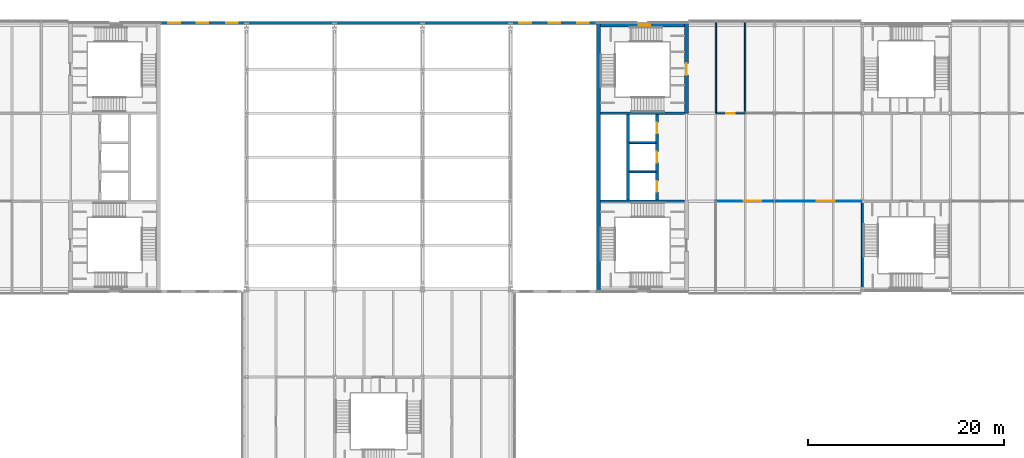
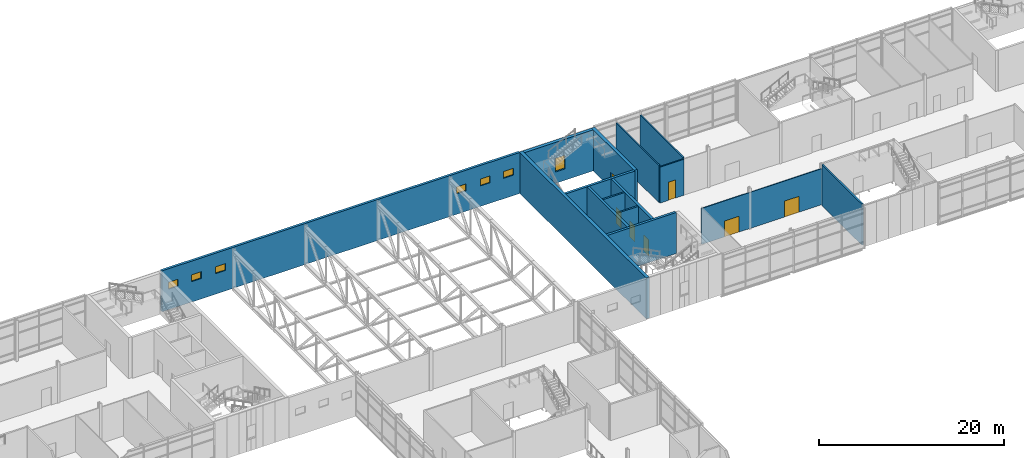
# One storey, part 40 of 53: 15 walls, 7 doors, 7 windows, 14 openings.
"""IFC4 building model written with IfcOpenShell, lengths in metres."""

from ifc_helpers import new_model, si_unit, direction, frame, frame_2d, origin, place, context, subcontext, project, spatial, rectangle, extrude, material, layer, layer_set, type_object, element, fill, save


model = new_model("IFC4")

# Units and contexts
model_context = context("Model", 3, precision=1e-05, world=origin(), true_north=direction((0.0, 1.0)))
body_context = subcontext(model_context, "Body", "Model", "MODEL_VIEW")
ifc_project = project(units=[si_unit("LENGTHUNIT", "METRE"), si_unit("AREAUNIT", "SQUARE_METRE"), si_unit("VOLUMEUNIT", "CUBIC_METRE"), si_unit("PLANEANGLEUNIT", "RADIAN"), si_unit("MASSUNIT", "GRAM", prefix="KILO")], contexts=[model_context])

# Site, building, storey
site_placement = place(None, origin())
site = spatial("IfcSite", under=ifc_project, at=site_placement, CompositionType="ELEMENT")
building_placement = place(site_placement, origin())
building = spatial("IfcBuilding", under=site, at=building_placement, Name="Azimuth Sports and Learning Centre", CompositionType="ELEMENT")
storey_placement = place(building_placement, frame((0.0, 0.0, 10.800048828125)))
storey = spatial("IfcBuildingStorey", under=building, at=storey_placement, Name="L02", CompositionType="ELEMENT", Elevation=10.800048828125)

# Walls
ifc_material_1 = material(Name="Dense masonry blockwork", Category="masonry")
ifc_layer_1 = layer(ifc_material_1, 0.199951171875)
ifc_layer_set_1 = layer_set([ifc_layer_1], Name="Dense masonry blockwork")
wall_type_1 = type_object("IfcWallType", Name="Blockwork wall 200 EI 120", PredefinedType="SOLIDWALL", material=ifc_layer_set_1)
for number, where, z_axis, x_axis, name in (
    (1, (111.14990234375, 102.0, 0.0), (0.0, 0.0, 1.0), (1.0, 0.0, 0.0), "SD-E-1-L02"),
    (2, (111.14990234375, 105.0, 0.0), (0.0, 0.0, 1.0), (1.0, 0.0, 0.0), "SD-E-2-L02"),
):
    element("IfcWall", number, at=place(storey_placement, frame(where, z_axis=z_axis, x_axis=x_axis)), inside=storey, type_object=wall_type_1, Name=name, PredefinedType="SOLIDWALL", context=body_context, shape_type="SweptSolid", body=[
        extrude(rectangle(XDim=2.7001953125, YDim=0.199951171875, at=frame_2d((1.35009765625, 0.0))), origin(), (0.0, 0.0, 1.0), 5.39990234375),
    ])

# Wall, openings, windows
ifc_material_2 = material(Name="Insulated cladding wall")
ifc_layer_2 = layer(ifc_material_2, 0.300048828125)
ifc_layer_set_2 = layer_set([ifc_layer_2], Name="Insulated cladding wall")
wall_type_2 = type_object("IfcWallType", Name="Hall cladding wall 300", PredefinedType="SOLIDWALL", material=ifc_layer_set_2)
wall_1_placement = place(storey_placement, frame((107.800048828125, 117.239990234375, 0.0), z_axis=(0.0, 0.0, 1.0), x_axis=(-1.0, 0.0, 0.0)))
wall_1 = element("IfcWall", 3, at=wall_1_placement, inside=storey, type_object=wall_type_2, Name="Hall wall N-HALL L02", PredefinedType="SOLIDWALL", context=body_context, shape_type="SweptSolid", body=[
    extrude(rectangle(XDim=44.60009765625, YDim=0.300048828125, at=frame_2d((22.300048828125, 0.0))), origin(), (0.0, 0.0, 1.0), 5.39990234375),
])
opening_1_placement = place(wall_1_placement, frame((0.800048828125, 0.0, 2.699951171875)))
opening_1 = element("IfcOpeningElement", 4, at=opening_1_placement, cuts=wall_1, Name="Opening W02-013", PredefinedType="OPENING", context=body_context, shape_type="SweptSolid", body=[
    extrude(rectangle(XDim=1.199951171875, YDim=0.89990234375, at=frame_2d((0.60009765625, 0.449951171875))), frame((0.0, 0.1611328125, 0.0), z_axis=(0.0, -1.0, 0.0), x_axis=(1.0, 0.0, 0.0)), (0.0, 0.0, 1.0), 0.322021484375),
])
opening_2_placement = place(wall_1_placement, frame((3.699951171875, 0.0, 2.699951171875)))
opening_2 = element("IfcOpeningElement", 5, at=opening_2_placement, cuts=wall_1, Name="Opening W02-014", PredefinedType="OPENING", context=body_context, shape_type="SweptSolid", body=[
    extrude(rectangle(XDim=1.199951171875, YDim=0.89990234375, at=frame_2d((0.60009765625, 0.449951171875))), frame((0.0, 0.1611328125, 0.0), z_axis=(0.0, -1.0, 0.0), x_axis=(1.0, 0.0, 0.0)), (0.0, 0.0, 1.0), 0.322021484375),
])
opening_3_placement = place(wall_1_placement, frame((6.699951171875, 0.0, 2.699951171875)))
opening_3 = element("IfcOpeningElement", 6, at=opening_3_placement, cuts=wall_1, Name="Opening W02-015", PredefinedType="OPENING", context=body_context, shape_type="SweptSolid", body=[
    extrude(rectangle(XDim=1.199951171875, YDim=0.89990234375, at=frame_2d((0.60009765625, 0.449951171875))), frame((0.0, 0.1611328125, 0.0), z_axis=(0.0, -1.0, 0.0), x_axis=(1.0, 0.0, 0.0)), (0.0, 0.0, 1.0), 0.322021484375),
])
opening_4_placement = place(wall_1_placement, frame((36.699951171875, 0.0, 2.699951171875)))
opening_4 = element("IfcOpeningElement", 7, at=opening_4_placement, cuts=wall_1, Name="Opening W02-016", PredefinedType="OPENING", context=body_context, shape_type="SweptSolid", body=[
    extrude(rectangle(XDim=1.199951171875, YDim=0.89990234375, at=frame_2d((0.60009765625, 0.449951171875))), frame((0.0, 0.1611328125, 0.0), z_axis=(0.0, -1.0, 0.0), x_axis=(1.0, 0.0, 0.0)), (0.0, 0.0, 1.0), 0.322021484375),
])
opening_5_placement = place(wall_1_placement, frame((39.699951171875, 0.0, 2.699951171875)))
opening_5 = element("IfcOpeningElement", 8, at=opening_5_placement, cuts=wall_1, Name="Opening W02-017", PredefinedType="OPENING", context=body_context, shape_type="SweptSolid", body=[
    extrude(rectangle(XDim=1.199951171875, YDim=0.89990234375, at=frame_2d((0.60009765625, 0.449951171875))), frame((0.0, 0.1611328125, 0.0), z_axis=(0.0, -1.0, 0.0), x_axis=(1.0, 0.0, 0.0)), (0.0, 0.0, 1.0), 0.322021484375),
])
opening_6_placement = place(wall_1_placement, frame((42.60009765625, 0.0, 2.699951171875)))
opening_6 = element("IfcOpeningElement", 9, at=opening_6_placement, cuts=wall_1, Name="Opening W02-018", PredefinedType="OPENING", context=body_context, shape_type="SweptSolid", body=[
    extrude(rectangle(XDim=1.199951171875, YDim=0.89990234375, at=frame_2d((0.60009765625, 0.449951171875))), frame((0.0, 0.1611328125, 0.0), z_axis=(0.0, -1.0, 0.0), x_axis=(1.0, 0.0, 0.0)), (0.0, 0.0, 1.0), 0.322021484375),
])
ifc_material_3 = material(Name="Aluminium and glass", Category="aluminium")
window_type_1 = type_object("IfcWindowType", Name="Truss level vent window 1200x900", PartitioningType="SINGLE_PANEL", PredefinedType="WINDOW", material=ifc_material_3)
window_1_placement = place(opening_1_placement, origin())
window_1 = element("IfcWindow", 10, at=window_1_placement, inside=storey, type_object=window_type_1, Name="Window W02-013", OverallHeight=0.89990234375, OverallWidth=1.199951171875, PartitioningType="SINGLE_PANEL", PredefinedType="WINDOW", context=body_context, shape_type="SweptSolid", body=[
    extrude(rectangle(XDim=1.199951171875, YDim=0.89990234375, at=frame_2d((0.60009765625, 0.449951171875))), frame((0.0, 0.030029296875, 0.0), z_axis=(0.0, -1.0, 0.0), x_axis=(1.0, 0.0, 0.0)), (0.0, 0.0, 1.0), 0.06005859375),
])
fill(opening_1, window_1)
window_2_placement = place(opening_2_placement, origin())
window_2 = element("IfcWindow", 11, at=window_2_placement, inside=storey, type_object=window_type_1, Name="Window W02-014", OverallHeight=0.89990234375, OverallWidth=1.199951171875, PartitioningType="SINGLE_PANEL", PredefinedType="WINDOW", context=body_context, shape_type="SweptSolid", body=[
    extrude(rectangle(XDim=1.199951171875, YDim=0.89990234375, at=frame_2d((0.60009765625, 0.449951171875))), frame((0.0, 0.030029296875, 0.0), z_axis=(0.0, -1.0, 0.0), x_axis=(1.0, 0.0, 0.0)), (0.0, 0.0, 1.0), 0.06005859375),
])
fill(opening_2, window_2)
window_3_placement = place(opening_3_placement, origin())
window_3 = element("IfcWindow", 12, at=window_3_placement, inside=storey, type_object=window_type_1, Name="Window W02-015", OverallHeight=0.89990234375, OverallWidth=1.199951171875, PartitioningType="SINGLE_PANEL", PredefinedType="WINDOW", context=body_context, shape_type="SweptSolid", body=[
    extrude(rectangle(XDim=1.199951171875, YDim=0.89990234375, at=frame_2d((0.60009765625, 0.449951171875))), frame((0.0, 0.030029296875, 0.0), z_axis=(0.0, -1.0, 0.0), x_axis=(1.0, 0.0, 0.0)), (0.0, 0.0, 1.0), 0.06005859375),
])
fill(opening_3, window_3)
window_4_placement = place(opening_4_placement, origin())
window_4 = element("IfcWindow", 13, at=window_4_placement, inside=storey, type_object=window_type_1, Name="Window W02-016", OverallHeight=0.89990234375, OverallWidth=1.199951171875, PartitioningType="SINGLE_PANEL", PredefinedType="WINDOW", context=body_context, shape_type="SweptSolid", body=[
    extrude(rectangle(XDim=1.199951171875, YDim=0.89990234375, at=frame_2d((0.60009765625, 0.449951171875))), frame((0.0, 0.030029296875, 0.0), z_axis=(0.0, -1.0, 0.0), x_axis=(1.0, 0.0, 0.0)), (0.0, 0.0, 1.0), 0.06005859375),
])
fill(opening_4, window_4)
window_5_placement = place(opening_5_placement, origin())
window_5 = element("IfcWindow", 14, at=window_5_placement, inside=storey, type_object=window_type_1, Name="Window W02-017", OverallHeight=0.89990234375, OverallWidth=1.199951171875, PartitioningType="SINGLE_PANEL", PredefinedType="WINDOW", context=body_context, shape_type="SweptSolid", body=[
    extrude(rectangle(XDim=1.199951171875, YDim=0.89990234375, at=frame_2d((0.60009765625, 0.449951171875))), frame((0.0, 0.030029296875, 0.0), z_axis=(0.0, -1.0, 0.0), x_axis=(1.0, 0.0, 0.0)), (0.0, 0.0, 1.0), 0.06005859375),
])
fill(opening_5, window_5)
window_6_placement = place(opening_6_placement, origin())
window_6 = element("IfcWindow", 15, at=window_6_placement, inside=storey, type_object=window_type_1, Name="Window W02-018", OverallHeight=0.89990234375, OverallWidth=1.199951171875, PartitioningType="SINGLE_PANEL", PredefinedType="WINDOW", context=body_context, shape_type="SweptSolid", body=[
    extrude(rectangle(XDim=1.199951171875, YDim=0.89990234375, at=frame_2d((0.60009765625, 0.449951171875))), frame((0.0, 0.030029296875, 0.0), z_axis=(0.0, -1.0, 0.0), x_axis=(1.0, 0.0, 0.0)), (0.0, 0.0, 1.0), 0.06005859375),
])
fill(opening_6, window_6)

# Wall, openings, doors
ifc_material_4 = material(Name="Gypsum board on steel studs", Category="steel")
ifc_layer_3 = layer(ifc_material_4, 0.10009765625)
ifc_layer_set_3 = layer_set([ifc_layer_3], Name="Gypsum board on steel studs")
wall_type_3 = type_object("IfcWallType", Name="Partition 100 EI 30", PredefinedType="PARTITIONING", material=ifc_layer_set_3)
wall_2_placement = place(storey_placement, frame((120.0, 99.0, 0.0), z_axis=(0.0, 0.0, 1.0), x_axis=(1.0, 0.0, 0.0)))
wall_2 = element("IfcWall", 16, at=wall_2_placement, inside=storey, type_object=wall_type_3, Name="Partition 100 EI 30", PredefinedType="PARTITIONING", context=body_context, shape_type="SweptSolid", body=[
    extrude(rectangle(XDim=15.0, YDim=0.10009765625, at=frame_2d((7.5, 0.0))), origin(), (0.0, 0.0, 1.0), 4.75),
])
opening_7_placement = place(wall_2_placement, frame((2.85009765625, 0.0, 0.0)))
opening_7 = element("IfcOpeningElement", 17, at=opening_7_placement, cuts=wall_2, Name="Opening D02-043", PredefinedType="OPENING", context=body_context, shape_type="SweptSolid", body=[
    extrude(rectangle(XDim=1.800048828125, YDim=2.10009765625, at=frame_2d((0.89990234375, 1.050048828125))), frame((0.0, 0.06103515625, 0.0), z_axis=(0.0, -1.0, 0.0), x_axis=(1.0, 0.0, 0.0)), (0.0, 0.0, 1.0), 0.1220703125),
])
opening_8_placement = place(wall_2_placement, frame((10.35009765625, 0.0, 0.0)))
opening_8 = element("IfcOpeningElement", 18, at=opening_8_placement, cuts=wall_2, Name="Opening D02-044", PredefinedType="OPENING", context=body_context, shape_type="SweptSolid", body=[
    extrude(rectangle(XDim=1.800048828125, YDim=2.10009765625, at=frame_2d((0.89990234375, 1.050048828125))), frame((0.0, 0.06103515625, 0.0), z_axis=(0.0, -1.0, 0.0), x_axis=(1.0, 0.0, 0.0)), (0.0, 0.0, 1.0), 0.1220703125),
])
ifc_material_5 = material(Name="Timber fire door set", Category="wood")
door_type_1 = type_object("IfcDoorType", Name="Timber door double 1800x2100 FD30S", OperationType="DOUBLE_DOOR_SINGLE_SWING", PredefinedType="DOOR", material=ifc_material_5)
door_1_placement = place(opening_7_placement, frame((1.800048828125, 0.0, 0.0), z_axis=(0.0, 0.0, 1.0), x_axis=(-1.0, 0.0, 0.0)))
door_1 = element("IfcDoor", 19, at=door_1_placement, inside=storey, type_object=door_type_1, Name="Door D02-043", OperationType="DOUBLE_DOOR_SINGLE_SWING", OverallHeight=2.10009765625, OverallWidth=1.800048828125, PredefinedType="DOOR", context=body_context, shape_type="SweptSolid", body=[
    extrude(rectangle(XDim=1.800048828125, YDim=2.10009765625, at=frame_2d((0.89990234375, 1.050048828125))), frame((0.0, 0.02490234375, 0.0), z_axis=(0.0, -1.0, 0.0), x_axis=(1.0, 0.0, 0.0)), (0.0, 0.0, 1.0), 0.050048828125),
])
fill(opening_7, door_1)
door_2_placement = place(opening_8_placement, frame((1.800048828125, 0.0, 0.0), z_axis=(0.0, 0.0, 1.0), x_axis=(-1.0, 0.0, 0.0)))
door_2 = element("IfcDoor", 20, at=door_2_placement, inside=storey, type_object=door_type_1, Name="Door D02-044", OperationType="DOUBLE_DOOR_SINGLE_SWING", OverallHeight=2.10009765625, OverallWidth=1.800048828125, PredefinedType="DOOR", context=body_context, shape_type="SweptSolid", body=[
    extrude(rectangle(XDim=1.800048828125, YDim=2.10009765625, at=frame_2d((0.89990234375, 1.050048828125))), frame((0.0, 0.02490234375, 0.0), z_axis=(0.0, -1.0, 0.0), x_axis=(1.0, 0.0, 0.0)), (0.0, 0.0, 1.0), 0.050048828125),
])
fill(opening_8, door_2)

# Wall, opening, door
ifc_material_6 = material(Name="Lightweight blockwork, rendered", Category="masonry")
ifc_layer_4 = layer(ifc_material_6, 0.14990234375)
ifc_layer_set_4 = layer_set([ifc_layer_4], Name="Lightweight blockwork, rendered")
wall_type_4 = type_object("IfcWallType", Name="Partition 150 EI 60", PredefinedType="PARTITIONING", material=ifc_layer_set_4)
wall_3_placement = place(storey_placement, frame((120.0, 108.0, 0.0), z_axis=(0.0, 0.0, 1.0), x_axis=(1.0, 0.0, 0.0)))
wall_3 = element("IfcWall", 21, at=wall_3_placement, inside=storey, type_object=wall_type_4, Name="Partition 150 EI 60", PredefinedType="PARTITIONING", context=body_context, shape_type="SweptSolid", body=[
    extrude(rectangle(XDim=3.0, YDim=0.14990234375, at=frame_2d((1.5, 0.0))), origin(), (0.0, 0.0, 1.0), 4.75),
])
opening_9_placement = place(wall_3_placement, frame((1.050048828125, 0.0, 0.0)))
opening_9 = element("IfcOpeningElement", 22, at=opening_9_placement, cuts=wall_3, Name="Opening D02-050", PredefinedType="OPENING", context=body_context, shape_type="SweptSolid", body=[
    extrude(rectangle(XDim=0.89990234375, YDim=2.39990234375, at=frame_2d((0.449951171875, 1.199951171875))), frame((0.0, 0.0859375, 0.0), z_axis=(0.0, -1.0, 0.0), x_axis=(1.0, 0.0, 0.0)), (0.0, 0.0, 1.0), 0.171875),
])
ifc_material_7 = material(Name="Timber fire door set", Category="wood")
door_type_2 = type_object("IfcDoorType", Name="Timber door single 900x2400 FD60", OperationType="NOTDEFINED", PredefinedType="DOOR", material=ifc_material_7)
door_3_placement = place(opening_9_placement, origin())
door_3 = element("IfcDoor", 23, at=door_3_placement, inside=storey, type_object=door_type_2, Name="Door D02-050", OperationType="SINGLE_SWING_RIGHT", OverallHeight=2.39990234375, OverallWidth=0.89990234375, PredefinedType="DOOR", context=body_context, shape_type="SweptSolid", body=[
    extrude(rectangle(XDim=0.89990234375, YDim=2.39990234375, at=frame_2d((0.449951171875, 1.199951171875))), frame((0.0, 0.02490234375, 0.0), z_axis=(0.0, -1.0, 0.0), x_axis=(1.0, 0.0, 0.0)), (0.0, 0.0, 1.0), 0.050048828125),
])
fill(opening_9, door_3)

# Walls
for number, where, z_axis, x_axis, name in (
    (24, (120.0, 108.074951171875, 0.0), (0.0, 0.0, 1.0), (0.0, 1.0, 0.0), "Partition 150 EI 60"),
    (25, (123.0, 108.074951171875, 0.0), (0.0, 0.0, 1.0), (0.0, 1.0, 0.0), "Partition 150 EI 60"),
):
    element("IfcWall", number, at=place(storey_placement, frame(where, z_axis=z_axis, x_axis=x_axis)), inside=storey, type_object=wall_type_4, Name=name, PredefinedType="PARTITIONING", context=body_context, shape_type="SweptSolid", body=[
        extrude(rectangle(XDim=9.22509765625, YDim=0.14990234375, at=frame_2d((4.612548828125, 0.0))), origin(), (0.0, 0.0, 1.0), 4.919921875),
    ])
ifc_material_8 = material(Name="Concrete C40/50", Category="concrete")
ifc_layer_5 = layer(ifc_material_8, 0.199951171875)
ifc_layer_set_5 = layer_set([ifc_layer_5], Name="Concrete C40/50")
wall_type_5 = type_object("IfcWallType", Name="RC cell wall 200 EI 120", PredefinedType="SHEAR", material=ifc_layer_set_5)
wall_4_placement = place(storey_placement, frame((135.0, 90.179931640625, 0.0), z_axis=(0.0, 0.0, 1.0), x_axis=(0.0, 1.0, 0.0)))
element("IfcWall", 26, at=wall_4_placement, inside=storey, type_object=wall_type_5, Name="CE-EM1-W-L02", PredefinedType="SHEAR", context=body_context, shape_type="SweptSolid", body=[
    extrude(rectangle(XDim=8.64013671875, YDim=0.199951171875, at=frame_2d((4.320068359375, 0.0))), origin(), (0.0, 0.0, 1.0), 5.39990234375),
])
ifc_material_9 = material(Name="Concrete C40/50", Category="concrete")
ifc_layer_6 = layer(ifc_material_9, 0.300048828125)
ifc_layer_set_6 = layer_set([ifc_layer_6], Name="Concrete C40/50")
wall_type_6 = type_object("IfcWallType", Name="RC core wall 300", PredefinedType="SHEAR", material=ifc_layer_set_6)
for number, where, z_axis, x_axis, name in (
    (27, (108.199951171875, 99.0, 0.0), (0.0, 0.0, 1.0), (1.0, 0.0, 0.0), "Core wall E D1 L02"),
    (28, (108.199951171875, 108.0, 0.0), (0.0, 0.0, 1.0), (1.0, 0.0, 0.0), "Core wall E D2 L02"),
):
    element("IfcWall", number, at=place(storey_placement, frame(where, z_axis=z_axis, x_axis=x_axis)), inside=storey, type_object=wall_type_6, Name=name, PredefinedType="SHEAR", context=body_context, shape_type="SweptSolid", body=[
        extrude(rectangle(XDim=8.60009765625, YDim=0.300048828125, at=frame_2d((4.300048828125, 0.0))), origin(), (0.0, 0.0, 1.0), 5.39990234375),
    ])
wall_5_placement = place(storey_placement, frame((111.0, 99.14990234375, 0.0), z_axis=(0.0, 0.0, 1.0), x_axis=(0.0, 1.0, 0.0)))
element("IfcWall", 29, at=wall_5_placement, inside=storey, type_object=wall_type_6, Name="Core wall E LB1 L02", PredefinedType="SHEAR", context=body_context, shape_type="SweptSolid", body=[
    extrude(rectangle(XDim=8.7001953125, YDim=0.300048828125, at=frame_2d((4.35009765625, 0.0))), origin(), (0.0, 0.0, 1.0), 5.39990234375),
])

# Wall, openings, doors
wall_6_placement = place(storey_placement, frame((114.0, 99.14990234375, 0.0), z_axis=(0.0, 0.0, 1.0), x_axis=(0.0, 1.0, 0.0)))
wall_6 = element("IfcWall", 30, at=wall_6_placement, inside=storey, type_object=wall_type_6, Name="Core wall E LB2 L02", PredefinedType="SHEAR", context=body_context, shape_type="SweptSolid", body=[
    extrude(rectangle(XDim=8.7001953125, YDim=0.300048828125, at=frame_2d((4.35009765625, 0.0))), origin(), (0.0, 0.0, 1.0), 5.39990234375),
])
opening_10_placement = place(wall_6_placement, frame((0.800048828125, 0.0, 0.0)))
opening_10 = element("IfcOpeningElement", 31, at=opening_10_placement, cuts=wall_6, Name="Opening D02-022", PredefinedType="OPENING", context=body_context, shape_type="SweptSolid", body=[
    extrude(rectangle(XDim=1.10009765625, YDim=2.10009765625, at=frame_2d((0.550048828125, 1.050048828125))), frame((0.0, 0.1611328125, 0.0), z_axis=(0.0, -1.0, 0.0), x_axis=(1.0, 0.0, 0.0)), (0.0, 0.0, 1.0), 0.322021484375),
])
opening_11_placement = place(wall_6_placement, frame((3.800048828125, 0.0, 0.0)))
opening_11 = element("IfcOpeningElement", 32, at=opening_11_placement, cuts=wall_6, Name="Opening D02-023", PredefinedType="OPENING", context=body_context, shape_type="SweptSolid", body=[
    extrude(rectangle(XDim=1.10009765625, YDim=2.10009765625, at=frame_2d((0.550048828125, 1.050048828125))), frame((0.0, 0.1611328125, 0.0), z_axis=(0.0, -1.0, 0.0), x_axis=(1.0, 0.0, 0.0)), (0.0, 0.0, 1.0), 0.322021484375),
])
opening_12_placement = place(wall_6_placement, frame((6.800048828125, 0.0, 0.0)))
opening_12 = element("IfcOpeningElement", 33, at=opening_12_placement, cuts=wall_6, Name="Opening D02-024", PredefinedType="OPENING", context=body_context, shape_type="SweptSolid", body=[
    extrude(rectangle(XDim=1.10009765625, YDim=2.10009765625, at=frame_2d((0.550048828125, 1.050048828125))), frame((0.0, 0.1611328125, 0.0), z_axis=(0.0, -1.0, 0.0), x_axis=(1.0, 0.0, 0.0)), (0.0, 0.0, 1.0), 0.322021484375),
])
ifc_material_10 = material(Name="Stainless steel", Category="steel")
door_type_3 = type_object("IfcDoorType", Name="Lift landing door 1100 x 2100", OperationType="DOUBLE_DOOR_SLIDING", PredefinedType="DOOR", material=ifc_material_10)
door_4_placement = place(opening_10_placement, origin())
door_4 = element("IfcDoor", 34, at=door_4_placement, inside=storey, type_object=door_type_3, Name="Landing door LE1 L02", OperationType="DOUBLE_DOOR_SLIDING", OverallHeight=2.10009765625, OverallWidth=1.10009765625, PredefinedType="DOOR", context=body_context, shape_type="SweptSolid", body=[
    extrude(rectangle(XDim=1.10009765625, YDim=2.10009765625, at=frame_2d((0.550048828125, 1.050048828125))), frame((0.0, 0.02490234375, 0.0), z_axis=(0.0, -1.0, 0.0), x_axis=(1.0, 0.0, 0.0)), (0.0, 0.0, 1.0), 0.050048828125),
])
fill(opening_10, door_4)
door_5_placement = place(opening_11_placement, origin())
door_5 = element("IfcDoor", 35, at=door_5_placement, inside=storey, type_object=door_type_3, Name="Landing door LE2 L02", OperationType="DOUBLE_DOOR_SLIDING", OverallHeight=2.10009765625, OverallWidth=1.10009765625, PredefinedType="DOOR", context=body_context, shape_type="SweptSolid", body=[
    extrude(rectangle(XDim=1.10009765625, YDim=2.10009765625, at=frame_2d((0.550048828125, 1.050048828125))), frame((0.0, 0.02490234375, 0.0), z_axis=(0.0, -1.0, 0.0), x_axis=(1.0, 0.0, 0.0)), (0.0, 0.0, 1.0), 0.050048828125),
])
fill(opening_11, door_5)
door_6_placement = place(opening_12_placement, origin())
door_6 = element("IfcDoor", 36, at=door_6_placement, inside=storey, type_object=door_type_3, Name="Landing door LE3 L02", OperationType="DOUBLE_DOOR_SLIDING", OverallHeight=2.10009765625, OverallWidth=1.10009765625, PredefinedType="DOOR", context=body_context, shape_type="SweptSolid", body=[
    extrude(rectangle(XDim=1.10009765625, YDim=2.10009765625, at=frame_2d((0.550048828125, 1.050048828125))), frame((0.0, 0.02490234375, 0.0), z_axis=(0.0, -1.0, 0.0), x_axis=(1.0, 0.0, 0.0)), (0.0, 0.0, 1.0), 0.050048828125),
])
fill(opening_12, door_6)

# Wall
ifc_material_11 = material(Name="Concrete C40/50", Category="concrete")
ifc_layer_7 = layer(ifc_material_11, 0.39990234375)
ifc_layer_set_7 = layer_set([ifc_layer_7], Name="Concrete C40/50")
wall_type_7 = type_object("IfcWallType", Name="RC core wall 400", PredefinedType="SHEAR", material=ifc_layer_set_7)
wall_7_placement = place(storey_placement, frame((108.0, 89.800048828125, 0.0), z_axis=(0.0, 0.0, 1.0), x_axis=(0.0, 1.0, 0.0)))
element("IfcWall", 37, at=wall_7_placement, inside=storey, type_object=wall_type_7, Name="Core wall E W L02", PredefinedType="SHEAR", context=body_context, shape_type="SweptSolid", body=[
    extrude(rectangle(XDim=27.39990234375, YDim=0.39990234375, at=frame_2d((13.699951171875, 0.0))), origin(), (0.0, 0.0, 1.0), 5.39990234375),
])

# Wall, opening, door
wall_8_placement = place(storey_placement, frame((117.0, 108.0, 0.0), z_axis=(0.0, 0.0, 1.0), x_axis=(0.0, 1.0, 0.0)))
wall_8 = element("IfcWall", 38, at=wall_8_placement, inside=storey, type_object=wall_type_7, Name="Core wall E EN L02", PredefinedType="SHEAR", context=body_context, shape_type="SweptSolid", body=[
    extrude(rectangle(XDim=9.199951171875, YDim=0.39990234375, at=frame_2d((4.60009765625, 0.0))), origin(), (0.0, 0.0, 1.0), 5.39990234375),
])
opening_13_placement = place(wall_8_placement, frame((3.89990234375, 0.0, 0.0)))
opening_13 = element("IfcOpeningElement", 39, at=opening_13_placement, cuts=wall_8, Name="Opening D02-004", PredefinedType="OPENING", context=body_context, shape_type="SweptSolid", body=[
    extrude(rectangle(XDim=1.199951171875, YDim=2.10009765625, at=frame_2d((0.60009765625, 1.050048828125))), frame((0.0, 0.2109375, 0.0), z_axis=(0.0, -1.0, 0.0), x_axis=(1.0, 0.0, 0.0)), (0.0, 0.0, 1.0), 0.421875),
])
ifc_material_12 = material(Name="Steel", Category="steel")
door_type_4 = type_object("IfcDoorType", Name="Stair fire door 1200 x 2100", OperationType="NOTDEFINED", PredefinedType="DOOR", material=ifc_material_12)
door_7_placement = place(opening_13_placement, frame((1.199951171875, 0.0, 0.0), z_axis=(0.0, 0.0, 1.0), x_axis=(-1.0, 0.0, 0.0)))
door_7 = element("IfcDoor", 40, at=door_7_placement, inside=storey, type_object=door_type_4, Name="Stair door E2 L02", OperationType="SINGLE_SWING_RIGHT", OverallHeight=2.10009765625, OverallWidth=1.199951171875, PredefinedType="DOOR", context=body_context, shape_type="SweptSolid", body=[
    extrude(rectangle(XDim=1.199951171875, YDim=2.10009765625, at=frame_2d((0.60009765625, 1.050048828125))), frame((0.0, 0.02490234375, 0.0), z_axis=(0.0, -1.0, 0.0), x_axis=(1.0, 0.0, 0.0)), (0.0, 0.0, 1.0), 0.050048828125),
])
fill(opening_13, door_7)

# Wall, opening, window
ifc_material_13 = material(Name="Concrete C40/50", Category="concrete")
ifc_layer_8 = layer(ifc_material_13, 0.39990234375)
ifc_layer_set_8 = layer_set([ifc_layer_8], Name="Concrete C40/50")
wall_type_8 = type_object("IfcWallType", Name="RC external core wall 400", PredefinedType="SHEAR", material=ifc_layer_set_8)
wall_9_placement = place(storey_placement, frame((108.199951171875, 117.0, 0.0), z_axis=(0.0, 0.0, 1.0), x_axis=(1.0, 0.0, 0.0)))
wall_9 = element("IfcWall", 41, at=wall_9_placement, inside=storey, type_object=wall_type_8, Name="Core wall E N L02", PredefinedType="SHEAR", context=body_context, shape_type="SweptSolid", body=[
    extrude(rectangle(XDim=8.60009765625, YDim=0.39990234375, at=frame_2d((4.300048828125, 0.0))), origin(), (0.0, 0.0, 1.0), 5.39990234375),
])
opening_14_placement = place(wall_9_placement, frame((3.89990234375, 0.0, 1.5)))
opening_14 = element("IfcOpeningElement", 42, at=opening_14_placement, cuts=wall_9, Name="Opening W02-012", PredefinedType="OPENING", context=body_context, shape_type="SweptSolid", body=[
    extrude(rectangle(XDim=1.199951171875, YDim=1.800048828125, at=frame_2d((0.60009765625, 0.89990234375))), frame((0.0, 0.2109375, 0.0), z_axis=(0.0, -1.0, 0.0), x_axis=(1.0, 0.0, 0.0)), (0.0, 0.0, 1.0), 0.421875),
])
ifc_material_14 = material(Name="Aluminium and glass", Category="aluminium")
window_type_2 = type_object("IfcWindowType", Name="Stair window podium core 1200x1800", PartitioningType="SINGLE_PANEL", PredefinedType="WINDOW", material=ifc_material_14)
window_7_placement = place(opening_14_placement, origin())
window_7 = element("IfcWindow", 43, at=window_7_placement, inside=storey, type_object=window_type_2, Name="Window W02-012", OverallHeight=1.800048828125, OverallWidth=1.199951171875, PartitioningType="SINGLE_PANEL", PredefinedType="WINDOW", context=body_context, shape_type="SweptSolid", body=[
    extrude(rectangle(XDim=1.199951171875, YDim=1.800048828125, at=frame_2d((0.60009765625, 0.89990234375))), frame((0.0, 0.030029296875, 0.0), z_axis=(0.0, -1.0, 0.0), x_axis=(1.0, 0.0, 0.0)), (0.0, 0.0, 1.0), 0.06005859375),
])
fill(opening_14, window_7)

save(model, "model.ifc")
